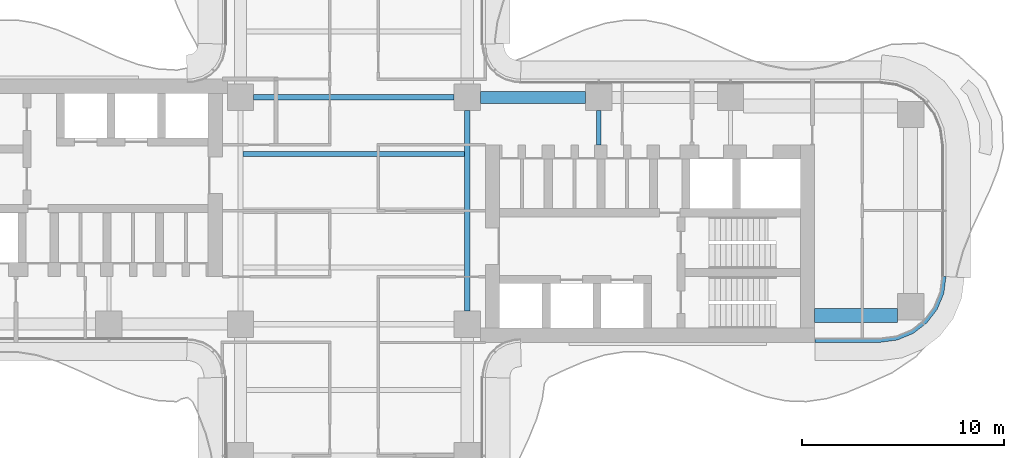
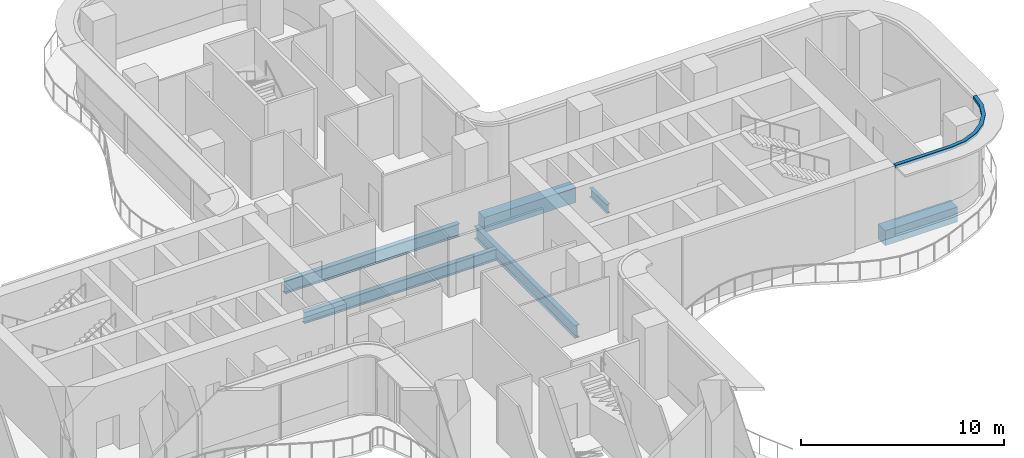
# One storey, part 6 of 20: 6 beams, 1 member, 1 element without a shape of its own.
"""IFC4 building model written with IfcOpenShell, lengths in metres."""

from ifc_helpers import new_model, si_unit, direction, frame, origin, origin_2d, place, context, subcontext, project, spatial, polyline, rectangle, i_section, outline, extrude, source, transform, mapped, material, layer, layer_set, material_profile, profile_set, type_object, element, aggregate, save


model = new_model("IFC4")

# Units and contexts
model_context = context("Model", 3, precision=1e-05, world=origin(), true_north=direction((0.0, 1.0)))
body_context = subcontext(model_context, "Body", "Model", "MODEL_VIEW")
ifc_project = project(units=[si_unit("LENGTHUNIT", "METRE"), si_unit("AREAUNIT", "SQUARE_METRE"), si_unit("VOLUMEUNIT", "CUBIC_METRE"), si_unit("PLANEANGLEUNIT", "RADIAN"), si_unit("MASSUNIT", "GRAM", prefix="KILO")], contexts=[model_context])

# Site, building, storey
site_placement = place(None, origin())
site = spatial("IfcSite", under=ifc_project, at=site_placement, CompositionType="ELEMENT")
building_placement = place(site_placement, origin())
building = spatial("IfcBuilding", under=site, at=building_placement, Name="Trellis Farm Tower", CompositionType="ELEMENT")
storey_placement = place(building_placement, frame((0.0, 0.0, 142.5)))
storey = spatial("IfcBuildingStorey", under=building, at=storey_placement, Name="L30", CompositionType="ELEMENT", Elevation=142.5)

# Beams
ifc_material_1 = material(Name="Steel S355", Category="steel")
ifc_material_profile_1 = material_profile(ifc_material_1, i_section(OverallWidth=0.253662109375, OverallDepth=0.68359375, WebThickness=0.012451171875, FlangeThickness=0.021728515625, FilletRadius=0.01513671875, at=origin_2d()), Name="UB 686x254x140")
ifc_profile_set_1 = profile_set([ifc_material_profile_1], Name="Steel S355")
beam_type_1 = type_object("IfcBeamType", Name="UB 686x254x140 joist", PredefinedType="JOIST", material=ifc_profile_set_1)
shared_shape_1 = source(origin(), body_context, "Body", "SweptSolid", [
    extrude(i_section(OverallWidth=0.253662109375, OverallDepth=0.68359375, WebThickness=0.012451171875, FlangeThickness=0.021728515625, FilletRadius=0.01513671875, at=origin_2d()), origin(), (0.0, 0.0, 1.0), 10.93310546875),
])
beam_1_placement = place(storey_placement, frame((-5.466552734375, 2.800048828125, -0.591796875), z_axis=(1.0, 0.0, 0.0), x_axis=(0.0, 1.0, 0.0)))
element("IfcBeam", 1, at=beam_1_placement, inside=storey, type_object=beam_type_1, Name="Floor beam", PredefinedType="JOIST", context=body_context, shape_type="MappedRepresentation", body=[
    mapped(shared_shape_1, transform((0.0, 0.0, 0.0))),
])
ifc_material_profile_2 = material_profile(ifc_material_1, i_section(OverallWidth=0.2666015625, OverallDepth=0.76220703125, WebThickness=0.014404296875, FlangeThickness=0.021484375, FilletRadius=0.0166015625, at=origin_2d()), Name="UB 762x267x173")
ifc_profile_set_2 = profile_set([ifc_material_profile_2], Name="Steel S355")
beam_type_2 = type_object("IfcBeamType", Name="UB 762x267x173", PredefinedType="BEAM", material=ifc_profile_set_2)
shared_shape_2 = source(origin(), body_context, "Body", "SweptSolid", [
    extrude(i_section(OverallWidth=0.2666015625, OverallDepth=0.76220703125, WebThickness=0.014404296875, FlangeThickness=0.021484375, FilletRadius=0.0166015625, at=origin_2d()), origin(), (0.0, 0.0, 1.0), 9.89990234375),
])
for number, where, z_axis, x_axis, name in (
    (2, (-4.949951171875, 5.60009765625, -0.631103515625), (1.0, 0.0, 0.0), (0.0, 1.0, 0.0), "Girder"),
    (3, (5.60009765625, -4.949951171875, -0.631103515625), (0.0, 1.0, 0.0), (-1.0, 0.0, 0.0), "Girder"),
):
    element("IfcBeam", number, at=place(storey_placement, frame(where, z_axis=z_axis, x_axis=x_axis)), inside=storey, type_object=beam_type_2, Name=name, PredefinedType="BEAM", context=body_context, shape_type="MappedRepresentation", body=[
        mapped(shared_shape_2, transform((0.0, 0.0, 0.0))),
    ])
ifc_material_profile_3 = material_profile(ifc_material_1, i_section(OverallWidth=0.209228515625, OverallDepth=0.533203125, WebThickness=0.010009765625, FlangeThickness=0.015625, FilletRadius=0.0126953125, at=origin_2d()), Name="UB 533x210x92")
ifc_profile_set_3 = profile_set([ifc_material_profile_3], Name="Steel S355")
beam_type_3 = type_object("IfcBeamType", Name="UB 533x210x92", PredefinedType="BEAM", material=ifc_profile_set_3)
shared_shape_3 = source(origin(), body_context, "Body", "SweptSolid", [
    extrude(i_section(OverallWidth=0.209228515625, OverallDepth=0.533203125, WebThickness=0.010009765625, FlangeThickness=0.015625, FilletRadius=0.0126953125, at=origin_2d()), origin(), (0.0, 0.0, 1.0), 1.699951171875),
])
beam_2_placement = place(storey_placement, frame((12.10009765625, 3.25, -0.5166015625), z_axis=(0.0, 1.0, 0.0), x_axis=(-1.0, 0.0, 0.0)))
element("IfcBeam", 4, at=beam_2_placement, inside=storey, type_object=beam_type_3, Name="Girder", PredefinedType="BEAM", context=body_context, shape_type="MappedRepresentation", body=[
    mapped(shared_shape_3, transform((0.0, 0.0, 0.0))),
])
ifc_material_2 = material(Name="Concrete C60/75", Category="concrete")
ifc_material_profile_4 = material_profile(ifc_material_2, rectangle(XDim=0.60009765625, YDim=0.89990234375, at=origin_2d()), Name="RC spandrel beam 600x900 C60/75")
ifc_profile_set_4 = profile_set([ifc_material_profile_4], Name="Concrete C60/75")
beam_type_4 = type_object("IfcBeamType", Name="RC spandrel beam 600x900 C60/75", PredefinedType="SPANDREL", material=ifc_profile_set_4)
shared_shape_4 = source(origin(), body_context, "Body", "SweptSolid", [
    extrude(rectangle(XDim=0.60009765625, YDim=0.89990234375, at=origin_2d()), origin(), (0.0, 0.0, 1.0), 5.199951171875),
])
beam_3_placement = place(storey_placement, frame((6.25, 5.60009765625, -0.699951171875), z_axis=(1.0, 0.0, 0.0), x_axis=(0.0, 1.0, 0.0)))
element("IfcBeam", 5, at=beam_3_placement, inside=storey, type_object=beam_type_4, Name="Girder", PredefinedType="SPANDREL", context=body_context, shape_type="MappedRepresentation", body=[
    mapped(shared_shape_4, transform((0.0, 0.0, 0.0))),
])
ifc_material_profile_5 = material_profile(ifc_material_2, rectangle(XDim=0.699951171875, YDim=0.89990234375, at=origin_2d()), Name="RC spandrel beam 700x900 C60/75")
ifc_profile_set_5 = profile_set([ifc_material_profile_5], Name="Concrete C60/75")
beam_type_5 = type_object("IfcBeamType", Name="RC spandrel beam 700x900 C60/75", PredefinedType="SPANDREL", material=ifc_profile_set_5)
shared_shape_5 = source(origin(), body_context, "Body", "SweptSolid", [
    extrude(rectangle(XDim=0.699951171875, YDim=0.89990234375, at=origin_2d()), origin(), (0.0, 0.0, 1.0), 4.10009765625),
])
beam_4_placement = place(storey_placement, frame((22.75, -5.175048828125, -0.699951171875), z_axis=(1.0, 0.0, 0.0), x_axis=(0.0, 1.0, 0.0)))
element("IfcBeam", 6, at=beam_4_placement, inside=storey, type_object=beam_type_5, Name="Girder", PredefinedType="SPANDREL", context=body_context, shape_type="MappedRepresentation", body=[
    mapped(shared_shape_5, transform((0.0, 0.0, 0.0))),
])

# Curtain wall, member
ifc_material_3 = material(Name="Aluminium and glass curtain wall", Category="aluminium")
ifc_layer_1 = layer(ifc_material_3, 0.18994140625)
ifc_layer_set_1 = layer_set([ifc_layer_1], Name="RIBBON CURTAIN WALL CW1")
curtain_wall_type = type_object("IfcCurtainWallType", Name="RIBBON CURTAIN WALL CW1", PredefinedType="NOTDEFINED", material=ifc_layer_set_1)
curtain_wall_placement = place(storey_placement, origin())
curtain_wall = element("IfcCurtainWall", 7, at=curtain_wall_placement, inside=storey, type_object=curtain_wall_type, Name="CW1 006", PredefinedType="NOTDEFINED")
ifc_material_4 = material(Name="Aluminium extrusion 6063-T6", Category="aluminium")
ifc_layer_2 = layer(ifc_material_4, 0.199951171875)
ifc_layer_set_2 = layer_set([ifc_layer_2], Name="Aluminium extrusion 6063-T6")
member_type = type_object("IfcMemberType", Name="CW1 TRANSOM 200x180", PredefinedType="USERDEFINED", material=ifc_layer_set_2)
shared_shape_6 = source(origin(), body_context, "Body", "SweptSolid", [
    extrude(outline(polyline([(22.780029296875, -6.5), (26.0, -6.5), (26.841064453125, -6.38916015625), (27.625, -6.064697265625), (28.298095703125, -5.548095703125), (28.814697265625, -4.875), (29.13916015625, -4.091064453125), (29.25, -3.25), (29.050048828125, -3.23681640625), (28.9443359375, -4.0390625), (28.639892578125, -4.774169921875), (28.155517578125, -5.405517578125), (27.524169921875, -5.889892578125), (26.7890625, -6.1943359375), (25.98681640625, -6.300048828125), (22.780029296875, -6.300048828125), (22.780029296875, -6.5)])), origin(), (0.0, 0.0, 1.0), 0.179931640625),
])
member_placement = place(storey_placement, frame((0.0, 0.0, 4.070068359375)))
member = element("IfcMember", 8, at=member_placement, type_object=member_type, Name="TR1 006", ObjectType="TRANSOM", PredefinedType="USERDEFINED", context=body_context, shape_type="MappedRepresentation", body=[
    mapped(shared_shape_6, transform((0.0, 0.0, 0.0))),
])
aggregate(curtain_wall, [member])

save(model, "model.ifc")
